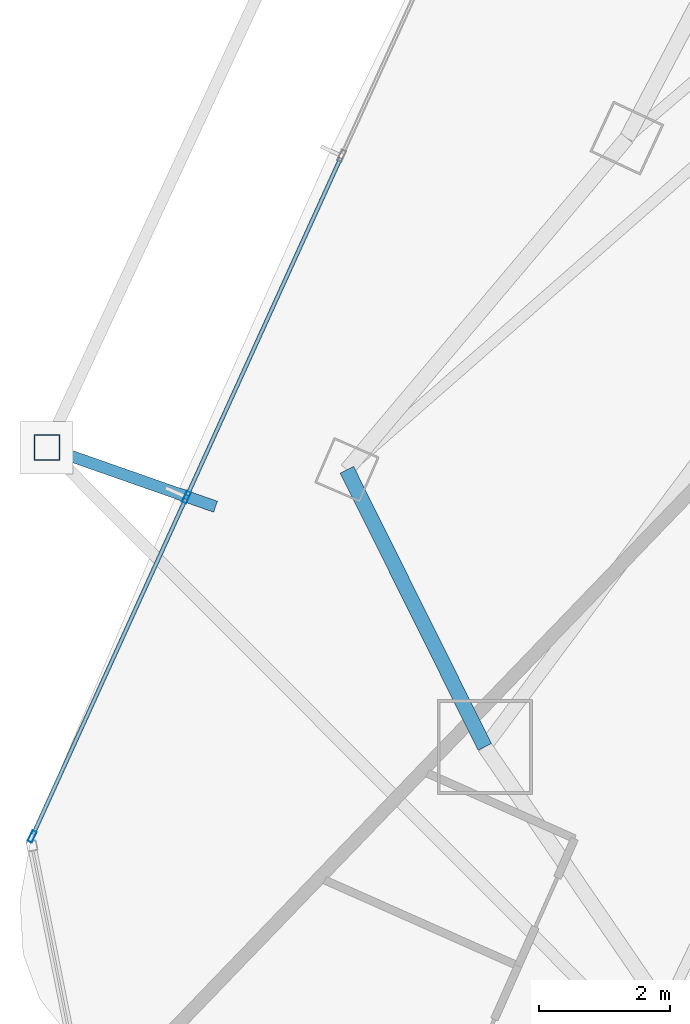
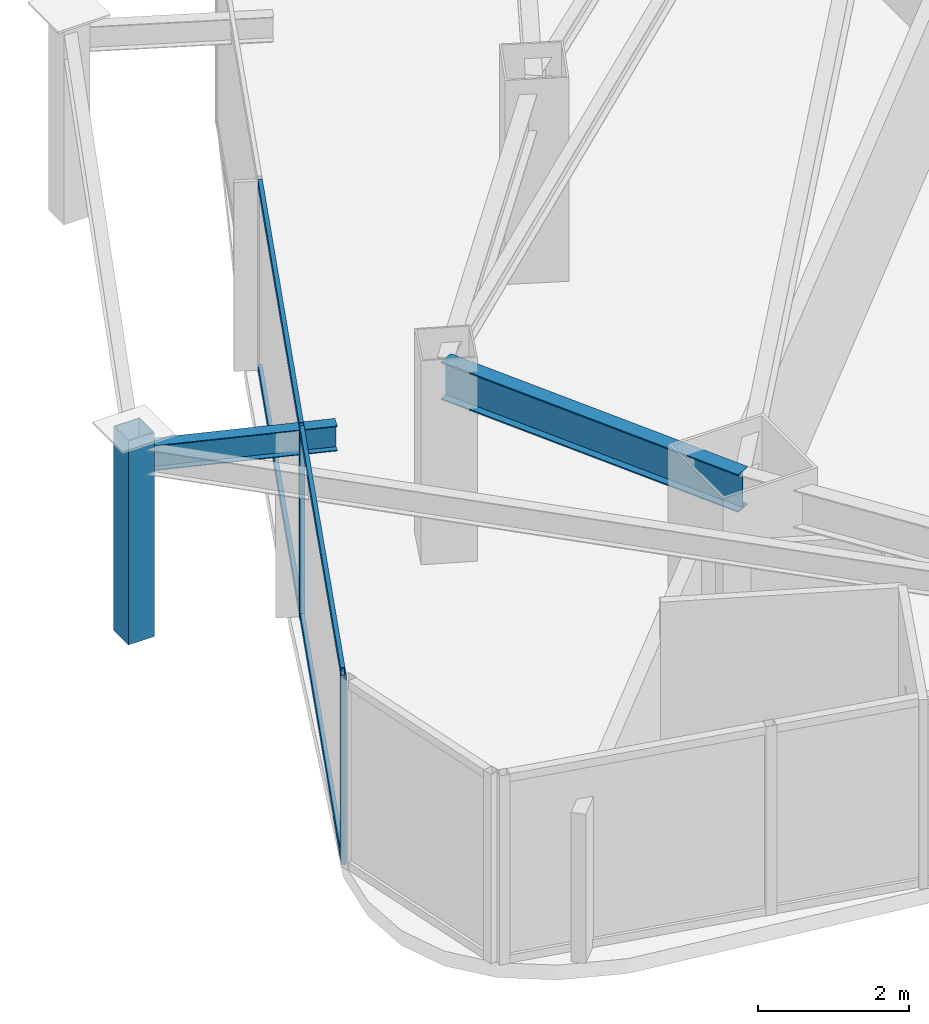
# One storey, part 4 of 31: 7 members, 2 beams, 1 element without a shape of its own.
"""IFC4 building model written with IfcOpenShell, lengths in metres."""

from ifc_helpers import new_model, si_unit, direction, frame, origin, origin_2d, place, context, subcontext, project, spatial, hollow_rectangle, i_section, extrude, material, layer, layer_set, material_profile, profile_set, type_object, element, aggregate, save


model = new_model("IFC4")

# Units and contexts
model_context = context("Model", 3, precision=1e-05, world=origin(), true_north=direction((0.0, 1.0)))
body_context = subcontext(model_context, "Body", "Model", "MODEL_VIEW")
ifc_project = project(units=[si_unit("LENGTHUNIT", "METRE"), si_unit("AREAUNIT", "SQUARE_METRE"), si_unit("VOLUMEUNIT", "CUBIC_METRE"), si_unit("PLANEANGLEUNIT", "RADIAN"), si_unit("MASSUNIT", "GRAM", prefix="KILO")], contexts=[model_context])

# Site, building, storey
site_placement = place(None, origin())
site = spatial("IfcSite", under=ifc_project, at=site_placement, CompositionType="ELEMENT")
building_placement = place(site_placement, origin())
building = spatial("IfcBuilding", under=site, at=building_placement, Name="Orvanel Arch Residences", CompositionType="ELEMENT")
storey_placement = place(building_placement, frame((0.0, 0.0, 133.10009765625)))
storey = spatial("IfcBuildingStorey", under=building, at=storey_placement, Name="L37", CompositionType="ELEMENT", Elevation=133.10009765625)

# Curtain wall, members
ifc_material_1 = material(Name="Bronze-anodised aluminium AA6063-T6", Category="aluminium")
ifc_layer = layer(ifc_material_1, 0.179931640625)
ifc_layer_set = layer_set([ifc_layer], Name="Bronze-anodised aluminium AA6063-T6")
curtain_wall_type = type_object("IfcCurtainWallType", Name="CW3-MID-SYS", PredefinedType="NOTDEFINED", material=ifc_layer_set)
curtain_wall_placement = place(storey_placement, origin())
curtain_wall = element("IfcCurtainWall", 1, at=curtain_wall_placement, inside=storey, type_object=curtain_wall_type, Name="L37 CW3-MID-SYS Unitised Curtain Wall", PredefinedType="NOTDEFINED")
ifc_material_profile_1 = material_profile(ifc_material_1, hollow_rectangle(XDim=0.070068359375, YDim=0.179931640625, WallThickness=0.00439453125, at=origin_2d()), Name="ALU180x70x4.5")
ifc_profile_set_1 = profile_set([ifc_material_profile_1], Name="Bronze-anodised aluminium AA6063-T6")
member_type_1 = type_object("IfcMemberType", Name="MUL-180x70", PredefinedType="MULLION", material=ifc_profile_set_1)
member_1_placement = place(storey_placement, frame((9.645751953125, 14.16162109375, 0.0), z_axis=(0.0, 0.0, 1.0), x_axis=(0.91032458365, -0.413895098306, 0.0)))
member_1 = element("IfcMember", 2, at=member_1_placement, type_object=member_type_1, Name="CW-S3 mullion 3", PredefinedType="MULLION", context=body_context, shape_type="SweptSolid", body=[
    extrude(hollow_rectangle(XDim=0.070068359375, YDim=0.179931640625, WallThickness=0.00439453125, at=origin_2d()), origin(), (0.0, 0.0, 1.0), 3.059814453125),
])
member_2_placement = place(storey_placement, frame((7.29150390625, 8.98388671875, 0.0), z_axis=(0.0, 0.0, 1.0), x_axis=(0.91032458365, -0.413895098306, 0.0)))
member_2 = element("IfcMember", 3, at=member_2_placement, type_object=member_type_1, Name="CW-S3 mullion 4", PredefinedType="MULLION", context=body_context, shape_type="SweptSolid", body=[
    extrude(hollow_rectangle(XDim=0.070068359375, YDim=0.179931640625, WallThickness=0.00439453125, at=origin_2d()), origin(), (0.0, 0.0, 1.0), 3.059814453125),
])

# Beams
ifc_material_2 = material(Name="Structural steel AS/NZS 3679.1 Grade 300 (300 MPa)", Category="steel")
ifc_material_profile_2 = material_profile(ifc_material_2, i_section(OverallWidth=0.177978515625, OverallDepth=0.406005859375, WebThickness=0.0078125, FlangeThickness=0.0126953125, at=origin_2d()), Name="410UB59.7")
ifc_profile_set_2 = profile_set([ifc_material_profile_2], Name="Structural steel AS/NZS 3679.1 Grade 300 (300 MPa)")
beam_type_1 = type_object("IfcBeamType", Name="OB-410UB-EXT", PredefinedType="SPANDREL", material=ifc_profile_set_2)
beam_1_placement = place(storey_placement, frame((10.090087890625, 14.01708984375, 2.85693359375), z_axis=(-0.943708886185, 0.330777172936, 0.0), x_axis=(-0.330777172936, -0.943708886185, 0.0)))
element("IfcBeam", 4, at=beam_1_placement, inside=storey, type_object=beam_type_1, Name="L37 Outer Frame Radial Tie Beam 04", PredefinedType="SPANDREL", context=body_context, shape_type="SweptSolid", body=[
    extrude(i_section(OverallWidth=0.177978515625, OverallDepth=0.406005859375, WebThickness=0.0078125, FlangeThickness=0.0126953125, at=origin_2d()), origin(), (0.0, 0.0, 1.0), 2.7265625),
])
ifc_material_profile_3 = material_profile(ifc_material_2, i_section(OverallWidth=0.22900390625, OverallDepth=0.612060546875, WebThickness=0.011962890625, FlangeThickness=0.01953125, at=origin_2d()), Name="610UB125")
ifc_profile_set_3 = profile_set([ifc_material_profile_3], Name="Structural steel AS/NZS 3679.1 Grade 300 (300 MPa)")
beam_type_2 = type_object("IfcBeamType", Name="SP-610UB", PredefinedType="SPANDREL", material=ifc_profile_set_3)
beam_2_placement = place(storey_placement, frame((12.094970703125, 14.580078125, 2.75390625), z_axis=(0.44543469453, -0.895314432425, 0.0), x_axis=(0.895314432425, 0.44543469453, 0.0)))
element("IfcBeam", 5, at=beam_2_placement, inside=storey, type_object=beam_type_2, Name="L37 Perimeter Spandrel Beam 02", PredefinedType="SPANDREL", context=body_context, shape_type="SweptSolid", body=[
    extrude(i_section(OverallWidth=0.22900390625, OverallDepth=0.612060546875, WebThickness=0.011962890625, FlangeThickness=0.01953125, at=origin_2d()), origin(), (0.0, 0.0, 1.0), 4.723388671875),
])

# Member
ifc_material_3 = material(Name="Structural steel AS/NZS 1163 C450L0 (Grade 450)", Category="steel")
ifc_material_profile_4 = material_profile(ifc_material_3, hollow_rectangle(XDim=0.39990234375, YDim=0.39990234375, WallThickness=0.01611328125, at=origin_2d()), Name="SHS400x400x16")
ifc_profile_set_4 = profile_set([ifc_material_profile_4], Name="Structural steel AS/NZS 1163 C450L0 (Grade 450)")
member_type_2 = type_object("IfcMemberType", Name="ST-400SHS-EXT", PredefinedType="STRUT", material=ifc_profile_set_4)
member_3_placement = place(storey_placement, frame((7.51708984375, 14.9189453125, 0.0), z_axis=(0.0, 0.0, 1.0), x_axis=(1.0, 0.0, 0.0)))
element("IfcMember", 6, at=member_3_placement, inside=storey, type_object=member_type_2, Name="L37 Outer Perimeter Frame Post 04", PredefinedType="STRUT", context=body_context, shape_type="SweptSolid", body=[
    extrude(hollow_rectangle(XDim=0.39990234375, YDim=0.39990234375, WallThickness=0.01611328125, at=origin_2d()), origin(), (0.0, 0.0, 1.0), 3.2998046875),
])

ifc_material_profile_5 = material_profile(ifc_material_1, hollow_rectangle(XDim=0.06005859375, YDim=0.135009765625, WallThickness=0.00390625, at=origin_2d()), Name="ALU135x60x4")
ifc_profile_set_5 = profile_set([ifc_material_profile_5], Name="Bronze-anodised aluminium AA6063-T6")
member_type_3 = type_object("IfcMemberType", Name="TRN-135x60", PredefinedType="USERDEFINED", material=ifc_profile_set_5)
member_4_placement = place(storey_placement, frame((11.999755859375, 19.33935546875, 0.02978515625), z_axis=(-0.413894056323, -0.910325057406, 0.0), x_axis=(0.910325057406, -0.413894056323, 0.0)))
member_4 = element("IfcMember", 7, at=member_4_placement, type_object=member_type_3, Name="CW-S3 transom 2.1", ObjectType="TRANSOM", PredefinedType="USERDEFINED", context=body_context, shape_type="SweptSolid", body=[
    extrude(hollow_rectangle(XDim=0.06005859375, YDim=0.135009765625, WallThickness=0.00390625, at=origin_2d()), origin(), (0.0, 0.0, 1.0), 5.652587890625),
])

member_5_placement = place(storey_placement, frame((11.999755859375, 19.33935546875, 3.02978515625), z_axis=(-0.413894056323, -0.910325057406, 0.0), x_axis=(0.910325057406, -0.413894056323, 0.0)))
member_5 = element("IfcMember", 8, at=member_5_placement, type_object=member_type_3, Name="CW-S3 transom 2.2", ObjectType="TRANSOM", PredefinedType="USERDEFINED", context=body_context, shape_type="SweptSolid", body=[
    extrude(hollow_rectangle(XDim=0.06005859375, YDim=0.135009765625, WallThickness=0.00390625, at=origin_2d()), origin(), (0.0, 0.0, 1.0), 5.652587890625),
])

member_6_placement = place(storey_placement, frame((9.631103515625, 14.1298828125, 0.02978515625), z_axis=(-0.413881521981, -0.910330756243, 0.0), x_axis=(0.910330756243, -0.413881521981, 0.0)))
member_6 = element("IfcMember", 9, at=member_6_placement, type_object=member_type_3, Name="CW-S3 transom 3.1", ObjectType="TRANSOM", PredefinedType="USERDEFINED", context=body_context, shape_type="SweptSolid", body=[
    extrude(hollow_rectangle(XDim=0.06005859375, YDim=0.135009765625, WallThickness=0.00390625, at=origin_2d()), origin(), (0.0, 0.0, 1.0), 5.617919921875),
])

member_7_placement = place(storey_placement, frame((9.631103515625, 14.1298828125, 3.02978515625), z_axis=(-0.413881521981, -0.910330756243, 0.0), x_axis=(0.910330756243, -0.413881521981, 0.0)))
member_7 = element("IfcMember", 10, at=member_7_placement, type_object=member_type_3, Name="CW-S3 transom 3.2", ObjectType="TRANSOM", PredefinedType="USERDEFINED", context=body_context, shape_type="SweptSolid", body=[
    extrude(hollow_rectangle(XDim=0.06005859375, YDim=0.135009765625, WallThickness=0.00390625, at=origin_2d()), origin(), (0.0, 0.0, 1.0), 5.617919921875),
])

aggregate(curtain_wall, [member_1, member_2, member_4, member_5, member_6, member_7])

save(model, "model.ifc")
